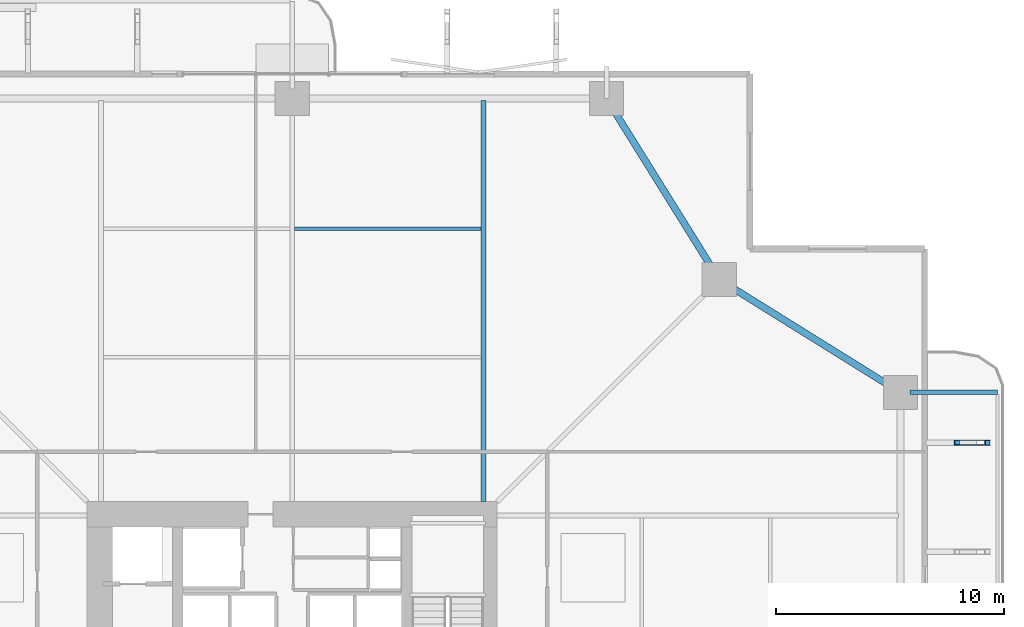
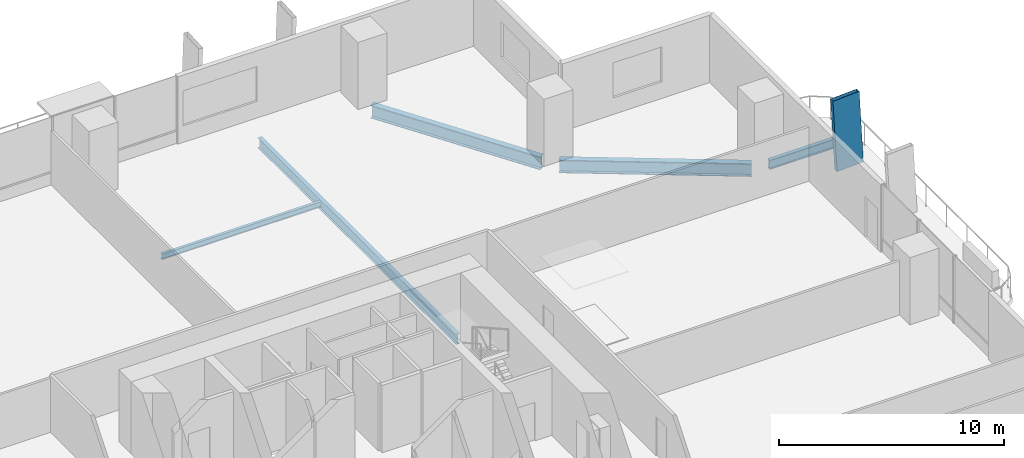
# One storey, part 14 of 23: 5 beams, 1 member.
"""IFC4 building model written with IfcOpenShell, lengths in metres."""

from ifc_helpers import new_model, si_unit, direction, frame, origin, origin_2d, place, context, subcontext, project, spatial, hollow_rectangle, i_section, extrude, material, material_profile, profile_set, type_object, element, save


model = new_model("IFC4")

# Units and contexts
model_context = context("Model", 3, precision=1e-05, world=origin(), true_north=direction((0.0, 1.0)))
body_context = subcontext(model_context, "Body", "Model", "MODEL_VIEW")
ifc_project = project(units=[si_unit("LENGTHUNIT", "METRE"), si_unit("AREAUNIT", "SQUARE_METRE"), si_unit("VOLUMEUNIT", "CUBIC_METRE"), si_unit("PLANEANGLEUNIT", "RADIAN"), si_unit("MASSUNIT", "GRAM", prefix="KILO")], contexts=[model_context])

# Site, building, storey
site_placement = place(None, origin())
site = spatial("IfcSite", under=ifc_project, at=site_placement, CompositionType="ELEMENT")
building_placement = place(site_placement, origin())
building = spatial("IfcBuilding", under=site, at=building_placement, Name="Belovzor Exchange Tower", CompositionType="ELEMENT")
storey_placement = place(building_placement, frame((0.0, 0.0, 57.300048828125)))
storey = spatial("IfcBuildingStorey", under=building, at=storey_placement, Name="L13", CompositionType="ELEMENT", Elevation=57.300048828125)

# Member
ifc_material_1 = material(Name="Extruded Architectural Terracotta on Steel S355 Carrier", Category="masonry")
ifc_material_profile_1 = material_profile(ifc_material_1, hollow_rectangle(XDim=0.219970703125, YDim=1.35009765625, WallThickness=0.013916015625, at=origin_2d()))
ifc_profile_set_1 = profile_set([ifc_material_profile_1], Name="Extruded Architectural Terracotta on Steel S355 Carrier")
member_type = type_object("IfcMemberType", Name="Base Arc Sweeping Terracotta Pylon Fin 1450", PredefinedType="USERDEFINED", material=ifc_profile_set_1)
member_placement = place(storey_placement, frame((58.762939453125, 40.39990234375, -0.25), z_axis=(-0.054756839471, 0.0, 0.998499718844), x_axis=(0.0, -1.0, 0.0)))
element("IfcMember", 1, at=member_placement, inside=storey, type_object=member_type, Name="FIN-TC145 Terracotta Facade Fin L13 E4", ObjectType="FIN", PredefinedType="USERDEFINED", context=body_context, shape_type="SweptSolid", body=[
    extrude(hollow_rectangle(XDim=0.219970703125, YDim=1.35009765625, WallThickness=0.013916015625, at=origin_2d()), origin(), (0.0, 0.0, 1.0), 3.90576171875),
])

# Beams
ifc_material_2 = material(Name="Steel S355", Category="steel")
ifc_material_profile_2 = material_profile(ifc_material_2, i_section(OverallWidth=0.199951171875, OverallDepth=0.5, WebThickness=0.01025390625, FlangeThickness=0.01611328125, at=origin_2d()))
ifc_profile_set_2 = profile_set([ifc_material_profile_2], Name="Steel S355")
beam_type_1 = type_object("IfcBeamType", Name="Planted Balcony Cantilever Beam IPE 500", PredefinedType="BEAM", material=ifc_profile_set_2)
beam_1_placement = place(storey_placement, frame((55.9130859375, 42.60009765625, -0.5), z_axis=(1.0, 0.0, 0.0), x_axis=(0.0, 1.0, 0.0)))
element("IfcBeam", 2, at=beam_1_placement, inside=storey, type_object=beam_type_1, Name="BC-500 Planted Balcony Cantilever Beam IPE 500", PredefinedType="BEAM", context=body_context, shape_type="SweptSolid", body=[
    extrude(i_section(OverallWidth=0.199951171875, OverallDepth=0.5, WebThickness=0.01025390625, FlangeThickness=0.01611328125, at=origin_2d()), origin(), (0.0, 0.0, 1.0), 3.849853515625),
])
ifc_material_3 = material(Name="Steel S355", Category="steel")
ifc_material_profile_3 = material_profile(ifc_material_3, i_section(OverallWidth=0.14990234375, OverallDepth=0.300048828125, WebThickness=0.007080078125, FlangeThickness=0.0107421875, at=origin_2d()))
ifc_profile_set_3 = profile_set([ifc_material_profile_3], Name="Steel S355")
beam_type_2 = type_object("IfcBeamType", Name="Secondary Trim Floor Joist IPE 300", PredefinedType="BEAM", material=ifc_profile_set_3)
beam_2_placement = place(storey_placement, frame((28.905029296875, 49.784912109375, -0.400146484375), z_axis=(1.0, 0.0, 0.0), x_axis=(0.0, 1.0, 0.0)))
element("IfcBeam", 3, at=beam_2_placement, inside=storey, type_object=beam_type_2, Name="FJ-300 Secondary Trim Floor Joist IPE 300", PredefinedType="BEAM", context=body_context, shape_type="SweptSolid", body=[
    extrude(i_section(OverallWidth=0.14990234375, OverallDepth=0.300048828125, WebThickness=0.007080078125, FlangeThickness=0.0107421875, at=origin_2d()), origin(), (0.0, 0.0, 1.0), 8.18994140625),
])
ifc_material_4 = material(Name="Steel S355", Category="steel")
ifc_material_profile_4 = material_profile(ifc_material_4, i_section(OverallWidth=0.300048828125, OverallDepth=0.699951171875, WebThickness=0.01708984375, FlangeThickness=0.031982421875, at=origin_2d()))
ifc_profile_set_4 = profile_set([ifc_material_profile_4], Name="Steel S355")
beam_type_3 = type_object("IfcBeamType", Name="Zone 1 Primary Perimeter Girder HEB 700", PredefinedType="BEAM", material=ifc_profile_set_4)
for number, where, z_axis, x_axis, name in (
    (4, (55.14990234375, 42.818115234375, -0.60009765625), (-0.848909251292, 0.528538629686, 0.0), (-0.528538629686, -0.848909251292, 0.0), "FG-Z1 Zone 1 Primary Perimeter Girder HEB 700"),
    (5, (47.33203125, 47.89990234375, -0.60009765625), (-0.528538629686, 0.848909251292, 0.0), (-0.848909251292, -0.528538629686, 0.0), "FG-Z1 Zone 1 Primary Perimeter Girder HEB 700"),
):
    element("IfcBeam", number, at=place(storey_placement, frame(where, z_axis=z_axis, x_axis=x_axis)), inside=storey, type_object=beam_type_3, Name=name, PredefinedType="BEAM", context=body_context, shape_type="SweptSolid", body=[
        extrude(i_section(OverallWidth=0.300048828125, OverallDepth=0.699951171875, WebThickness=0.01708984375, FlangeThickness=0.031982421875, at=origin_2d()), origin(), (0.0, 0.0, 1.0), 8.540283203125),
    ])
ifc_material_5 = material(Name="Steel S355", Category="steel")
ifc_material_profile_5 = material_profile(ifc_material_5, i_section(OverallWidth=0.2099609375, OverallDepth=0.550048828125, WebThickness=0.010986328125, FlangeThickness=0.01708984375, at=origin_2d()))
ifc_profile_set_5 = profile_set([ifc_material_profile_5], Name="Steel S355")
beam_type_4 = type_object("IfcBeamType", Name="Zone 1 Radial Composite Floor Beam IPE 550", PredefinedType="BEAM", material=ifc_profile_set_5)
beam_3_placement = place(storey_placement, frame((37.199951171875, 37.800048828125, -0.525146484375), z_axis=(0.0, 1.0, 0.0), x_axis=(-1.0, 0.0, 0.0)))
element("IfcBeam", 6, at=beam_3_placement, inside=storey, type_object=beam_type_4, Name="FB-550 Zone 1 Radial Composite Floor Beam IPE 550", PredefinedType="BEAM", context=body_context, shape_type="SweptSolid", body=[
    extrude(i_section(OverallWidth=0.2099609375, OverallDepth=0.550048828125, WebThickness=0.010986328125, FlangeThickness=0.01708984375, at=origin_2d()), origin(), (0.0, 0.0, 1.0), 17.625),
])

save(model, "model.ifc")
